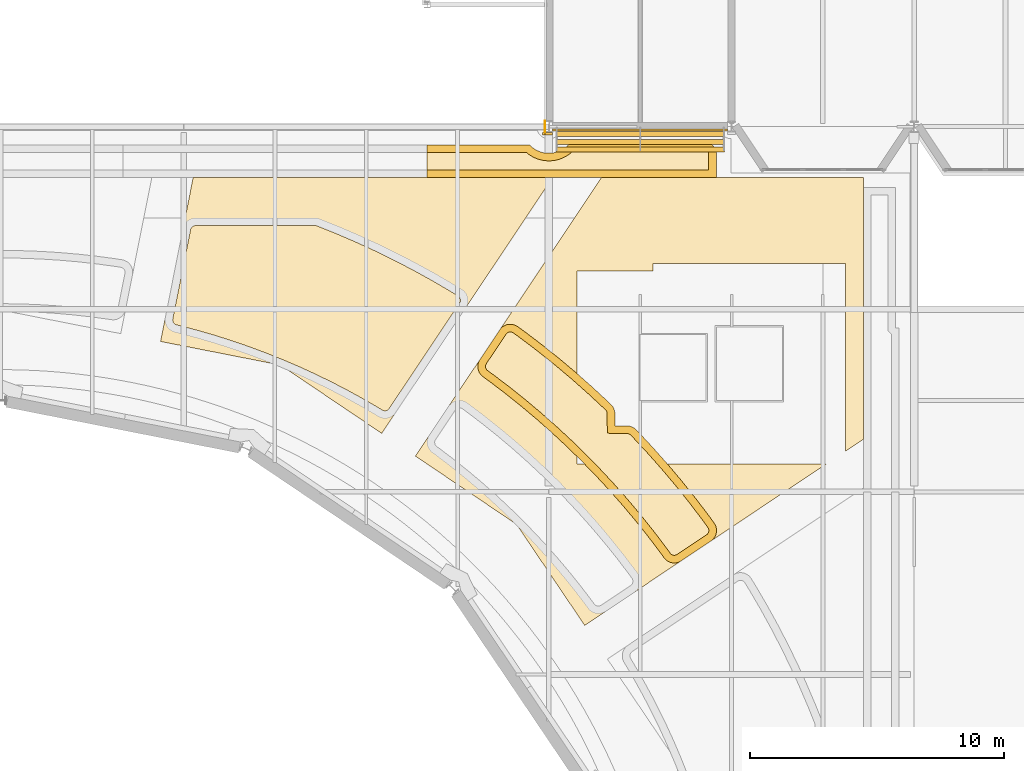
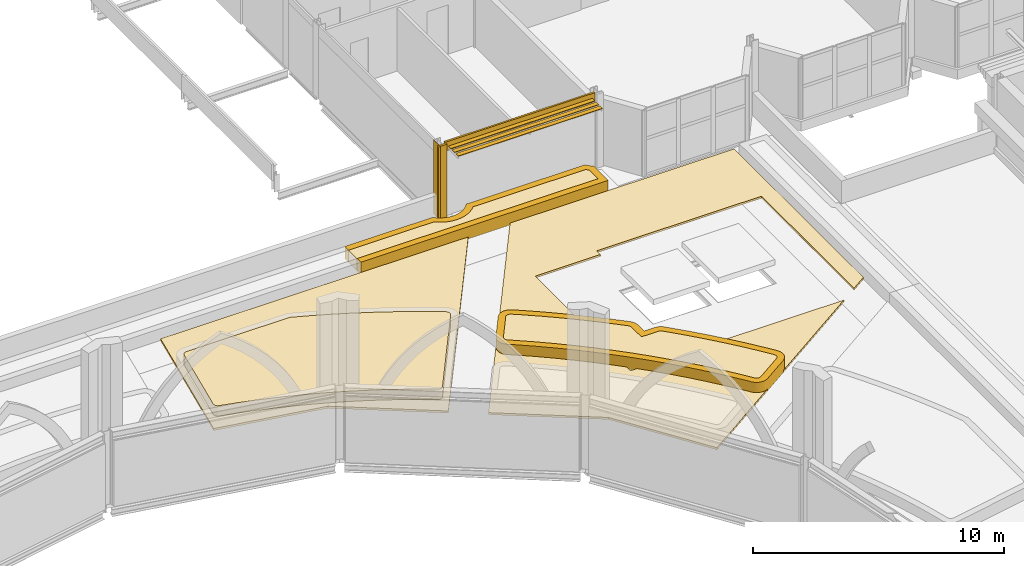
# One storey, part 98 of 110: 11 coverings, 3 shading devices.
"""IFC4 building model written with IfcOpenShell, lengths in metres."""

from ifc_helpers import new_model, si_unit, direction, frame, origin, origin_2d, place, context, subcontext, project, spatial, polyline, rectangle, outline, extrude, material, layer, layer_set, type_object, element, save


model = new_model("IFC4")

# Units and contexts
model_context = context("Model", 3, precision=1e-05, world=origin(), true_north=direction((0.0, 1.0)))
body_context = subcontext(model_context, "Body", "Model", "MODEL_VIEW")
ifc_project = project(units=[si_unit("LENGTHUNIT", "METRE"), si_unit("AREAUNIT", "SQUARE_METRE"), si_unit("VOLUMEUNIT", "CUBIC_METRE"), si_unit("PLANEANGLEUNIT", "RADIAN"), si_unit("MASSUNIT", "GRAM", prefix="KILO")], contexts=[model_context])

# Site, building, storey
site_placement = place(None, origin())
site = spatial("IfcSite", under=ifc_project, at=site_placement, CompositionType="ELEMENT")
building_placement = place(site_placement, origin())
building = spatial("IfcBuilding", under=site, at=building_placement, Name="Kupolbacken Congress Centre", CompositionType="ELEMENT")
storey_placement = place(building_placement, frame((0.0, 0.0, 18.0)))
storey = spatial("IfcBuildingStorey", under=building, at=storey_placement, Name="L05", CompositionType="ELEMENT", Elevation=18.0)

# Coverings
ifc_material_1 = material(Name="Limestone cladding", Category="masonry")
ifc_layer_1 = layer(ifc_material_1, 0.1201171875)
ifc_layer_set_1 = layer_set([ifc_layer_1], Name="Limestone cladding")
covering_type_1 = type_object("IfcCoveringType", Name="CV1 limestone cladding band 120", PredefinedType="CLADDING", material=ifc_layer_set_1)
covering_1_placement = place(storey_placement, frame((68.398193359375, 122.2724609375, 3.159912109375), z_axis=(0.0, 0.0, 1.0), x_axis=(1.0, 0.0, 0.0)))
element("IfcCovering", 1, at=covering_1_placement, inside=storey, type_object=covering_type_1, Name="E/T/S/L05/074/band", PredefinedType="CLADDING", context=body_context, shape_type="SweptSolid", body=[
    extrude(rectangle(XDim=6.896484375, YDim=0.0849609375, at=origin_2d()), origin(), (0.0, 0.0, 1.0), 0.43994140625),
])
ifc_material_2 = material(Name="Brick cladding", Category="masonry")
ifc_layer_2 = layer(ifc_material_2, 0.10791015625)
ifc_layer_set_2 = layer_set([ifc_layer_2], Name="Brick cladding")
covering_type_2 = type_object("IfcCoveringType", Name="CV2 brick cladding band 108", PredefinedType="CLADDING", material=ifc_layer_set_2)
covering_2_placement = place(storey_placement, frame((64.60009765625, 122.125, 0.0), z_axis=(0.0, 0.0, 1.0), x_axis=(1.0, 0.0, 0.0)))
element("IfcCovering", 2, at=covering_2_placement, inside=storey, type_object=covering_type_2, Name="E/T/pilaster/L05/C-T-10T/corner", PredefinedType="CLADDING", context=body_context, shape_type="SweptSolid", body=[
    extrude(rectangle(XDim=0.10009765625, YDim=0.10009765625, at=origin_2d()), origin(), (0.0, 0.0, 1.0), 3.60009765625),
])
covering_3_placement = place(storey_placement, frame((64.800048828125, 122.125, 0.0), z_axis=(0.0, 0.0, 1.0), x_axis=(1.0, 0.0, 0.0)))
element("IfcCovering", 3, at=covering_3_placement, inside=storey, type_object=covering_type_2, Name="E/T/pilaster/L05/C-T-10T/S", PredefinedType="CLADDING", context=body_context, shape_type="SweptSolid", body=[
    extrude(rectangle(XDim=0.300048828125, YDim=0.10009765625, at=origin_2d()), origin(), (0.0, 0.0, 1.0), 3.60009765625),
])
covering_4_placement = place(storey_placement, frame((64.639892578125, 122.39990234375, 0.0), z_axis=(0.0, 0.0, 1.0), x_axis=(1.0, 0.0, 0.0)))
element("IfcCovering", 4, at=covering_4_placement, inside=storey, type_object=covering_type_2, Name="E/T/pilaster/L05/C-T-10T/W", PredefinedType="CLADDING", context=body_context, shape_type="SweptSolid", body=[
    extrude(rectangle(XDim=0.02001953125, YDim=0.449951171875, at=origin_2d()), origin(), (0.0, 0.0, 1.0), 3.60009765625),
])
ifc_material_3 = material(Name="Limestone cladding", Category="masonry")
ifc_layer_3 = layer(ifc_material_3, 0.60009765625)
ifc_layer_set_3 = layer_set([ifc_layer_3], Name="Limestone cladding")
covering_type_3 = type_object("IfcCoveringType", Name="CV5 limestone arcade pier 600", PredefinedType="CLADDING", material=ifc_layer_set_3)
covering_5_placement = place(storey_placement, origin())
element("IfcCovering", 5, at=covering_5_placement, inside=storey, type_object=covering_type_3, Name="Bed kerb, plenary wing roof", PredefinedType="CLADDING", context=body_context, shape_type="SweptSolid", body=[
    extrude(outline(polyline([(71.257080078125, 121.656982421875), (71.33349609375, 121.587890625), (71.39990234375, 121.538330078125), (71.39990234375, 120.3974609375), (60.0, 120.3974609375), (60.0, 120.697509765625), (71.10009765625, 120.697509765625), (71.10009765625, 121.39453125), (71.044677734375, 121.444580078125), (70.99658203125, 121.49755859375), (65.80322265625, 121.49755859375), (65.75537109375, 121.444580078125), (65.656982421875, 121.355712890625), (65.550537109375, 121.276611328125), (65.43701171875, 121.20849609375), (65.31689453125, 121.15185546875), (65.192138671875, 121.107177734375), (65.063720703125, 121.074951171875), (64.932373046875, 121.055419921875), (64.800048828125, 121.048828125), (64.66748046875, 121.055419921875), (64.536376953125, 121.074951171875), (64.40771484375, 121.107177734375), (64.282958984375, 121.15185546875), (64.1630859375, 121.20849609375), (64.04931640625, 121.276611328125), (63.94287109375, 121.355712890625), (63.927001953125, 121.3701171875), (60.0, 121.3701171875), (60.0, 121.669921875), (64.04541015625, 121.669921875), (64.056884765625, 121.656982421875), (64.13330078125, 121.587890625), (64.21630859375, 121.5263671875), (64.3046875, 121.473388671875), (64.39794921875, 121.42919921875), (64.4951171875, 121.39453125), (64.594970703125, 121.369384765625), (64.697021484375, 121.354248046875), (64.800048828125, 121.349365234375), (64.903076171875, 121.354248046875), (65.0048828125, 121.369384765625), (65.10498046875, 121.39453125), (65.2021484375, 121.42919921875), (65.29541015625, 121.473388671875), (65.3837890625, 121.5263671875), (65.466552734375, 121.587890625), (65.54296875, 121.656982421875), (65.6123046875, 121.7333984375), (65.65966796875, 121.797607421875), (71.140380859375, 121.797607421875), (71.187744140625, 121.7333984375), (71.257080078125, 121.656982421875)])), origin(), (0.0, 0.0, 1.0), 0.60009765625),
])
covering_6_placement = place(storey_placement, origin())
element("IfcCovering", 6, at=covering_6_placement, inside=storey, type_object=covering_type_3, Name="Bed kerb, plenary wing roof", PredefinedType="CLADDING", context=body_context, shape_type="SweptSolid", body=[
    extrude(outline(polyline([(62.890869140625, 114.42626953125), (62.9248046875, 114.46337890625), (62.962158203125, 114.496826171875), (63.002685546875, 114.526611328125), (63.0458984375, 114.552001953125), (63.091796875, 114.57275390625), (63.13916015625, 114.589111328125), (63.18798828125, 114.600341796875), (63.238037109375, 114.606689453125), (63.2880859375, 114.608154296875), (63.338134765625, 114.6044921875), (63.3876953125, 114.595703125), (63.43603515625, 114.58203125), (63.48291015625, 114.563720703125), (63.52734375, 114.540771484375), (63.569580078125, 114.513427734375), (63.877685546875, 114.290771484375), (63.887451171875, 114.283447265625), (64.555908203125, 113.77490234375), (64.5654296875, 113.767333984375), (65.22119140625, 113.24267578125), (65.230712890625, 113.23486328125), (65.873291015625, 112.694091796875), (65.882568359375, 112.68603515625), (66.51171875, 112.129638671875), (66.52099609375, 112.12158203125), (67.13623046875, 111.5498046875), (67.14501953125, 111.54150390625), (67.248779296875, 111.4404296875), (67.28271484375, 111.40380859375), (67.312744140625, 111.364013671875), (67.338623046875, 111.321533203125), (67.3603515625, 111.276611328125), (67.377197265625, 111.229736328125), (67.3896484375, 111.181396484375), (67.39697265625, 111.13232421875), (67.3994140625, 111.08251953125), (67.3994140625, 110.61181640625), (67.400146484375, 110.60009765625), (67.411865234375, 110.599609375), (67.882568359375, 110.599609375), (67.932373046875, 110.596923828125), (67.9814453125, 110.589599609375), (68.02978515625, 110.577392578125), (68.07666015625, 110.560302734375), (68.12158203125, 110.53857421875), (68.1640625, 110.5126953125), (68.203857421875, 110.482666015625), (68.240478515625, 110.44873046875), (68.34130859375, 110.34521484375), (68.349853515625, 110.336181640625), (68.92138671875, 109.720947265625), (68.9296875, 109.7119140625), (69.486083984375, 109.08251953125), (69.494140625, 109.0732421875), (70.034912109375, 108.4306640625), (70.04248046875, 108.421142578125), (70.5673828125, 107.765380859375), (70.574951171875, 107.755859375), (71.08349609375, 107.08740234375), (71.0908203125, 107.07763671875), (71.3134765625, 106.76953125), (71.3408203125, 106.727294921875), (71.36376953125, 106.682861328125), (71.382080078125, 106.635986328125), (71.395751953125, 106.587646484375), (71.404296875, 106.5380859375), (71.408203125, 106.48828125), (71.40673828125, 106.43798828125), (71.400390625, 106.38818359375), (71.388916015625, 106.339111328125), (71.372802734375, 106.291748046875), (71.351806640625, 106.24609375), (71.326416015625, 106.20263671875), (71.296875, 106.162109375), (71.263427734375, 106.124755859375), (71.226318359375, 106.0908203125), (71.18603515625, 106.060791015625), (70.021240234375, 105.28271484375), (69.980224609375, 105.258056640625), (69.93701171875, 105.2373046875), (69.891845703125, 105.220947265625), (69.845703125, 105.208984375), (69.798095703125, 105.201416015625), (69.75048828125, 105.198486328125), (69.702392578125, 105.2001953125), (69.655029296875, 105.206298828125), (69.6083984375, 105.217041015625), (69.562744140625, 105.232177734375), (69.51904296875, 105.251708984375), (69.477294921875, 105.275146484375), (69.43798828125, 105.302490234375), (69.401611328125, 105.333740234375), (69.3681640625, 105.3681640625), (69.33837890625, 105.405517578125), (69.161376953125, 105.650390625), (69.15771484375, 105.6552734375), (68.68115234375, 106.28173828125), (68.67724609375, 106.28662109375), (68.185546875, 106.901123046875), (68.181640625, 106.90576171875), (67.6748046875, 107.508056640625), (67.6708984375, 107.5126953125), (67.1494140625, 108.102294921875), (67.145263671875, 108.10693359375), (66.609619140625, 108.68359375), (66.60546875, 108.68798828125), (66.0556640625, 109.25146484375), (66.051513671875, 109.255615234375), (65.488037109375, 109.805419921875), (65.483642578125, 109.8095703125), (64.906982421875, 110.34521484375), (64.90234375, 110.349365234375), (64.312744140625, 110.870849609375), (64.30810546875, 110.874755859375), (63.705810546875, 111.381591796875), (63.701171875, 111.385498046875), (63.086669921875, 111.877197265625), (63.081787109375, 111.881103515625), (62.455322265625, 112.357666015625), (62.450439453125, 112.361328125), (62.20556640625, 112.538330078125), (62.168212890625, 112.568115234375), (62.1337890625, 112.6015625), (62.1025390625, 112.637939453125), (62.0751953125, 112.67724609375), (62.0517578125, 112.718994140625), (62.0322265625, 112.7626953125), (62.01708984375, 112.808349609375), (62.00634765625, 112.85498046875), (62.0, 112.902587890625), (61.99853515625, 112.950439453125), (62.00146484375, 112.998291015625), (62.009033203125, 113.045654296875), (62.02099609375, 113.091796875), (62.037353515625, 113.136962890625), (62.05810546875, 113.18017578125), (62.082763671875, 113.22119140625), (62.86083984375, 114.385986328125), (62.890869140625, 114.42626953125)]), holes=[polyline([(62.336181640625, 113.060546875), (62.322509765625, 113.0380859375), (62.314208984375, 113.020751953125), (62.307861328125, 113.002685546875), (62.302978515625, 112.984375), (62.300048828125, 112.96533203125), (62.298828125, 112.9462890625), (62.299560546875, 112.927001953125), (62.302001953125, 112.908203125), (62.30615234375, 112.889404296875), (62.312255859375, 112.871337890625), (62.320068359375, 112.85400390625), (62.329345703125, 112.837158203125), (62.34033203125, 112.821533203125), (62.352783203125, 112.806884765625), (62.366455078125, 112.793701171875), (62.38720703125, 112.777099609375), (62.627685546875, 112.603515625), (62.635498046875, 112.597412109375), (63.264892578125, 112.11865234375), (63.272705078125, 112.11279296875), (63.889892578125, 111.618408203125), (63.897705078125, 111.6123046875), (64.502685546875, 111.103271484375), (64.510009765625, 111.0966796875), (65.1025390625, 110.572998046875), (65.109619140625, 110.56640625), (65.689208984375, 110.0283203125), (65.6962890625, 110.021484375), (66.26220703125, 109.468994140625), (66.26904296875, 109.462158203125), (66.8212890625, 108.896240234375), (66.828125, 108.88916015625), (67.366455078125, 108.309814453125), (67.372802734375, 108.302490234375), (67.896728515625, 107.710205078125), (67.9033203125, 107.70263671875), (68.412353515625, 107.09765625), (68.41845703125, 107.090087890625), (68.91259765625, 106.47265625), (68.918701171875, 106.46484375), (69.3974609375, 105.83544921875), (69.4033203125, 105.82763671875), (69.5771484375, 105.587158203125), (69.593505859375, 105.56640625), (69.60693359375, 105.552734375), (69.62158203125, 105.540283203125), (69.63720703125, 105.529296875), (69.65380859375, 105.52001953125), (69.67138671875, 105.51220703125), (69.689453125, 105.506103515625), (69.708251953125, 105.501953125), (69.72705078125, 105.49951171875), (69.746337890625, 105.498779296875), (69.765380859375, 105.5), (69.7841796875, 105.5029296875), (69.802734375, 105.5078125), (69.82080078125, 105.514404296875), (69.837890625, 105.522705078125), (69.860595703125, 105.5361328125), (71.01318359375, 106.30615234375), (71.03515625, 106.322509765625), (71.050048828125, 106.336181640625), (71.0634765625, 106.35107421875), (71.0751953125, 106.3671875), (71.085205078125, 106.384521484375), (71.09375, 106.40283203125), (71.10009765625, 106.421875), (71.104736328125, 106.44140625), (71.107177734375, 106.461181640625), (71.10791015625, 106.481201171875), (71.106201171875, 106.501220703125), (71.102783203125, 106.52099609375), (71.097412109375, 106.540283203125), (71.090087890625, 106.558837890625), (71.080810546875, 106.576904296875), (71.06591796875, 106.599853515625), (70.8486328125, 106.900390625), (70.843505859375, 106.9072265625), (70.33740234375, 107.57275390625), (70.33203125, 107.57958984375), (69.8095703125, 108.232421875), (69.80419921875, 108.239013671875), (69.265625, 108.87890625), (69.260009765625, 108.88525390625), (68.706298828125, 109.51171875), (68.700439453125, 109.51806640625), (68.13134765625, 110.130615234375), (68.12548828125, 110.136962890625), (68.031005859375, 110.23388671875), (68.0107421875, 110.25244140625), (67.994873046875, 110.264404296875), (67.977783203125, 110.27490234375), (67.9599609375, 110.283447265625), (67.94140625, 110.290283203125), (67.922119140625, 110.295166015625), (67.90234375, 110.298095703125), (67.875, 110.299560546875), (67.404296875, 110.299560546875), (67.11376953125, 110.313720703125), (67.099609375, 110.6044921875), (67.099609375, 111.074951171875), (67.09814453125, 111.102294921875), (67.09521484375, 111.1220703125), (67.09033203125, 111.141357421875), (67.08349609375, 111.159912109375), (67.07470703125, 111.177978515625), (67.064453125, 111.19482421875), (67.052490234375, 111.210693359375), (67.03369140625, 111.23095703125), (66.93701171875, 111.325439453125), (66.9306640625, 111.331298828125), (66.318115234375, 111.900390625), (66.311767578125, 111.90625), (65.685302734375, 112.460205078125), (65.6787109375, 112.4658203125), (65.0390625, 113.004150390625), (65.0322265625, 113.009521484375), (64.37939453125, 113.531982421875), (64.372802734375, 113.537353515625), (63.707275390625, 114.043701171875), (63.700439453125, 114.048583984375), (63.39990234375, 114.265869140625), (63.376708984375, 114.281005859375), (63.35888671875, 114.2900390625), (63.34033203125, 114.29736328125), (63.321044921875, 114.302978515625), (63.30126953125, 114.306396484375), (63.28125, 114.307861328125), (63.26123046875, 114.30712890625), (63.2412109375, 114.3046875), (63.2216796875, 114.30029296875), (63.202880859375, 114.293701171875), (63.1845703125, 114.285400390625), (63.167236328125, 114.275146484375), (63.151123046875, 114.263427734375), (63.135986328125, 114.25), (63.12255859375, 114.235107421875), (63.106201171875, 114.213134765625), (62.336181640625, 113.060546875)])]), origin(), (0.0, 0.0, 1.0), 0.60009765625),
])
ifc_material_4 = material(Name="Grass", Category="soil")
ifc_layer_4 = layer(ifc_material_4, 0.10009765625)
ifc_layer_set_4 = layer_set([ifc_layer_4], Name="Grass")
covering_type_4 = type_object("IfcCoveringType", Name="GR2 grass surface 100", PredefinedType="FLOORING", material=ifc_layer_set_4)
covering_7_placement = place(storey_placement, origin())
element("IfcCovering", 7, at=covering_7_placement, inside=storey, type_object=covering_type_4, Name="Green roof, plenary wing roof", PredefinedType="FLOORING", context=body_context, shape_type="SweptSolid", body=[
    extrude(outline(polyline([(66.87890625, 120.3994140625), (77.199462890625, 120.3994140625), (77.199462890625, 110.078857421875), (76.50048828125, 109.61181640625), (76.50048828125, 117.00048828125), (68.8994140625, 117.00048828125), (68.8994140625, 116.700439453125), (65.8994140625, 116.700439453125), (65.8994140625, 109.099609375), (68.8994140625, 109.099609375), (73.50048828125, 109.099609375), (75.73388671875, 109.099609375), (66.210693359375, 102.736572265625), (63.521484375, 106.721435546875), (59.53662109375, 109.41064453125), (66.87890625, 120.3994140625)])), origin(), (0.0, 0.0, 1.0), 0.10009765625),
])
covering_8_placement = place(storey_placement, origin())
element("IfcCovering", 8, at=covering_8_placement, inside=storey, type_object=covering_type_4, Name="Green roof, plenary wing roof", PredefinedType="FLOORING", context=body_context, shape_type="SweptSolid", body=[
    extrude(outline(polyline([(50.77783203125, 120.3994140625), (64.95458984375, 120.3994140625), (58.210205078125, 110.3056640625), (54.22119140625, 112.997802734375), (49.490966796875, 113.92919921875), (50.77783203125, 120.3994140625)])), origin(), (0.0, 0.0, 1.0), 0.10009765625),
])
ifc_material_5 = material(Name="Planting substrate", Category="soil")
ifc_layer_5 = layer(ifc_material_5, 0.60009765625)
ifc_layer_set_5 = layer_set([ifc_layer_5], Name="Planting substrate")
covering_type_5 = type_object("IfcCoveringType", Name="GR8 planting substrate 600", PredefinedType="FLOORING", material=ifc_layer_set_5)
covering_9_placement = place(storey_placement, origin())
element("IfcCovering", 9, at=covering_9_placement, inside=storey, type_object=covering_type_5, Name="Planting bed, plenary wing roof", PredefinedType="FLOORING", context=body_context, shape_type="SweptSolid", body=[
    extrude(outline(polyline([(63.927001953125, 121.3701171875), (63.94287109375, 121.355712890625), (64.04931640625, 121.276611328125), (64.1630859375, 121.20849609375), (64.282958984375, 121.15185546875), (64.40771484375, 121.107177734375), (64.536376953125, 121.074951171875), (64.66748046875, 121.055419921875), (64.800048828125, 121.048828125), (64.932373046875, 121.055419921875), (65.063720703125, 121.074951171875), (65.192138671875, 121.107177734375), (65.31689453125, 121.15185546875), (65.43701171875, 121.20849609375), (65.550537109375, 121.276611328125), (65.656982421875, 121.355712890625), (65.75537109375, 121.444580078125), (65.80322265625, 121.49755859375), (70.99658203125, 121.49755859375), (71.044677734375, 121.444580078125), (71.10009765625, 121.39453125), (71.10009765625, 120.697509765625), (60.0, 120.697509765625), (60.0, 121.3701171875), (63.927001953125, 121.3701171875)])), origin(), (0.0, 0.0, 1.0), 0.60009765625),
])
covering_10_placement = place(storey_placement, origin())
element("IfcCovering", 10, at=covering_10_placement, inside=storey, type_object=covering_type_5, Name="Planting bed, plenary wing roof", PredefinedType="FLOORING", context=body_context, shape_type="SweptSolid", body=[
    extrude(outline(polyline([(63.106201171875, 114.213134765625), (63.12255859375, 114.235107421875), (63.135986328125, 114.25), (63.151123046875, 114.263427734375), (63.167236328125, 114.275146484375), (63.1845703125, 114.285400390625), (63.202880859375, 114.293701171875), (63.2216796875, 114.30029296875), (63.2412109375, 114.3046875), (63.26123046875, 114.30712890625), (63.28125, 114.307861328125), (63.30126953125, 114.306396484375), (63.321044921875, 114.302978515625), (63.34033203125, 114.29736328125), (63.35888671875, 114.2900390625), (63.376708984375, 114.281005859375), (63.39990234375, 114.265869140625), (63.700439453125, 114.048583984375), (63.707275390625, 114.043701171875), (64.372802734375, 113.537353515625), (64.37939453125, 113.531982421875), (65.0322265625, 113.009521484375), (65.0390625, 113.004150390625), (65.6787109375, 112.4658203125), (65.685302734375, 112.460205078125), (66.311767578125, 111.90625), (66.318115234375, 111.900390625), (66.9306640625, 111.331298828125), (66.93701171875, 111.325439453125), (67.03369140625, 111.23095703125), (67.052490234375, 111.210693359375), (67.064453125, 111.19482421875), (67.07470703125, 111.177978515625), (67.08349609375, 111.159912109375), (67.09033203125, 111.141357421875), (67.09521484375, 111.1220703125), (67.09814453125, 111.102294921875), (67.099609375, 111.074951171875), (67.099609375, 110.6044921875), (67.11376953125, 110.313720703125), (67.404296875, 110.299560546875), (67.875, 110.299560546875), (67.90234375, 110.298095703125), (67.922119140625, 110.295166015625), (67.94140625, 110.290283203125), (67.9599609375, 110.283447265625), (67.977783203125, 110.27490234375), (67.994873046875, 110.264404296875), (68.0107421875, 110.25244140625), (68.031005859375, 110.23388671875), (68.12548828125, 110.136962890625), (68.13134765625, 110.130615234375), (68.700439453125, 109.51806640625), (68.706298828125, 109.51171875), (69.260009765625, 108.88525390625), (69.265625, 108.87890625), (69.80419921875, 108.239013671875), (69.8095703125, 108.232421875), (70.33203125, 107.57958984375), (70.33740234375, 107.57275390625), (70.843505859375, 106.9072265625), (70.8486328125, 106.900390625), (71.06591796875, 106.599853515625), (71.080810546875, 106.576904296875), (71.090087890625, 106.558837890625), (71.097412109375, 106.540283203125), (71.102783203125, 106.52099609375), (71.106201171875, 106.501220703125), (71.10791015625, 106.481201171875), (71.107177734375, 106.461181640625), (71.104736328125, 106.44140625), (71.10009765625, 106.421875), (71.09375, 106.40283203125), (71.085205078125, 106.384521484375), (71.0751953125, 106.3671875), (71.0634765625, 106.35107421875), (71.050048828125, 106.336181640625), (71.03515625, 106.322509765625), (71.01318359375, 106.30615234375), (69.860595703125, 105.5361328125), (69.837890625, 105.522705078125), (69.82080078125, 105.514404296875), (69.802734375, 105.5078125), (69.7841796875, 105.5029296875), (69.765380859375, 105.5), (69.746337890625, 105.498779296875), (69.72705078125, 105.49951171875), (69.708251953125, 105.501953125), (69.689453125, 105.506103515625), (69.67138671875, 105.51220703125), (69.65380859375, 105.52001953125), (69.63720703125, 105.529296875), (69.62158203125, 105.540283203125), (69.60693359375, 105.552734375), (69.593505859375, 105.56640625), (69.5771484375, 105.587158203125), (69.4033203125, 105.82763671875), (69.3974609375, 105.83544921875), (68.918701171875, 106.46484375), (68.91259765625, 106.47265625), (68.41845703125, 107.090087890625), (68.412353515625, 107.09765625), (67.9033203125, 107.70263671875), (67.896728515625, 107.710205078125), (67.372802734375, 108.302490234375), (67.366455078125, 108.309814453125), (66.828125, 108.88916015625), (66.8212890625, 108.896240234375), (66.26904296875, 109.462158203125), (66.26220703125, 109.468994140625), (65.6962890625, 110.021484375), (65.689208984375, 110.0283203125), (65.109619140625, 110.56640625), (65.1025390625, 110.572998046875), (64.510009765625, 111.0966796875), (64.502685546875, 111.103271484375), (63.897705078125, 111.6123046875), (63.889892578125, 111.618408203125), (63.272705078125, 112.11279296875), (63.264892578125, 112.11865234375), (62.635498046875, 112.597412109375), (62.627685546875, 112.603515625), (62.38720703125, 112.777099609375), (62.366455078125, 112.793701171875), (62.352783203125, 112.806884765625), (62.34033203125, 112.821533203125), (62.329345703125, 112.837158203125), (62.320068359375, 112.85400390625), (62.312255859375, 112.871337890625), (62.30615234375, 112.889404296875), (62.302001953125, 112.908203125), (62.299560546875, 112.927001953125), (62.298828125, 112.9462890625), (62.300048828125, 112.96533203125), (62.302978515625, 112.984375), (62.307861328125, 113.002685546875), (62.314208984375, 113.020751953125), (62.322509765625, 113.0380859375), (62.336181640625, 113.060546875), (63.106201171875, 114.213134765625)])), origin(), (0.0, 0.0, 1.0), 0.60009765625),
])
covering_11_placement = place(storey_placement, origin())
element("IfcCovering", 11, at=covering_11_placement, inside=storey, type_object=covering_type_5, Name="Planting bed, plenary wing roof", PredefinedType="FLOORING", context=body_context, shape_type="SweptSolid", body=[
    extrude(outline(polyline([(55.58154296875, 118.49755859375), (55.607666015625, 118.496337890625), (55.62646484375, 118.49365234375), (55.64501953125, 118.489013671875), (55.669677734375, 118.480712890625), (56.367919921875, 118.201416015625), (56.375732421875, 118.197998046875), (57.144287109375, 117.86865234375), (57.152099609375, 117.864990234375), (57.912353515625, 117.516845703125), (57.920166015625, 117.51318359375), (58.671630859375, 117.146484375), (58.67919921875, 117.142578125), (59.421630859375, 116.757568359375), (59.42919921875, 116.75341796875), (60.16162109375, 116.350341796875), (60.169189453125, 116.345947265625), (60.8916015625, 115.925048828125), (60.89892578125, 115.920654296875), (61.21337890625, 115.726806640625), (61.236083984375, 115.711181640625), (61.251220703125, 115.6982421875), (61.265380859375, 115.683837890625), (61.277587890625, 115.668212890625), (61.288330078125, 115.651123046875), (61.29736328125, 115.63330078125), (61.3046875, 115.614501953125), (61.309814453125, 115.59521484375), (61.31298828125, 115.575439453125), (61.314453125, 115.555419921875), (61.313720703125, 115.535400390625), (61.310791015625, 115.515380859375), (61.30615234375, 115.49609375), (61.299560546875, 115.47705078125), (61.291015625, 115.458984375), (61.27685546875, 115.435302734375), (58.505615234375, 111.28759765625), (58.489990234375, 111.2666015625), (58.477294921875, 111.252197265625), (58.463134765625, 111.239501953125), (58.447998046875, 111.227783203125), (58.431396484375, 111.2177734375), (58.414306640625, 111.20947265625), (58.396484375, 111.20263671875), (58.3779296875, 111.19775390625), (58.359130859375, 111.194580078125), (58.340087890625, 111.193115234375), (58.32080078125, 111.193603515625), (58.302001953125, 111.196044921875), (58.283203125, 111.2001953125), (58.264892578125, 111.2060546875), (58.247314453125, 111.213623046875), (58.224365234375, 111.226318359375), (58.123291015625, 111.28857421875), (58.114990234375, 111.293701171875), (57.508056640625, 111.647216796875), (57.49951171875, 111.652099609375), (56.884033203125, 111.99072265625), (56.87548828125, 111.99560546875), (56.251953125, 112.31884765625), (56.2431640625, 112.323486328125), (55.612060546875, 112.631591796875), (55.60302734375, 112.6357421875), (54.964599609375, 112.92822265625), (54.95556640625, 112.93212890625), (54.309814453125, 113.208984375), (54.30078125, 113.212646484375), (53.648681640625, 113.473388671875), (53.639404296875, 113.47705078125), (52.981201171875, 113.7216796875), (52.9716796875, 113.72509765625), (52.3076171875, 113.95361328125), (52.29833984375, 113.95654296875), (51.628662109375, 114.168701171875), (51.619384765625, 114.171630859375), (50.944580078125, 114.3671875), (50.935302734375, 114.369873046875), (50.256103515625, 114.548828125), (50.24658203125, 114.55126953125), (50.1298828125, 114.5791015625), (50.1044921875, 114.586181640625), (50.086669921875, 114.59326171875), (50.069580078125, 114.60205078125), (50.053466796875, 114.6123046875), (50.03857421875, 114.6240234375), (50.024658203125, 114.63720703125), (50.01220703125, 114.65185546875), (50.0009765625, 114.66748046875), (49.991455078125, 114.68408203125), (49.9833984375, 114.701416015625), (49.977294921875, 114.719482421875), (49.972900390625, 114.738037109375), (49.97021484375, 114.757080078125), (49.969482421875, 114.776123046875), (49.970458984375, 114.795166015625), (49.974365234375, 114.8212890625), (50.672119140625, 118.329345703125), (50.678466796875, 118.35546875), (50.68505859375, 118.373779296875), (50.693603515625, 118.3916015625), (50.70361328125, 118.408447265625), (50.715087890625, 118.424072265625), (50.728515625, 118.438720703125), (50.742919921875, 118.451904296875), (50.758544921875, 118.46337890625), (50.775390625, 118.4736328125), (50.793212890625, 118.48193359375), (50.8115234375, 118.488525390625), (50.83056640625, 118.493408203125), (50.85009765625, 118.49609375), (50.876953125, 118.49755859375), (55.58154296875, 118.49755859375)])), origin(), (0.0, 0.0, 1.0), 0.60009765625),
])

# Shading devices
ifc_material_6 = material(Name="Aluminium alloy louvre", Category="aluminium")
ifc_layer_6 = layer(ifc_material_6, 0.030029296875)
ifc_layer_set_6 = layer_set([ifc_layer_6], Name="Aluminium alloy louvre")
shading_device_type = type_object("IfcShadingDeviceType", Name="SC1 louvre blade 30 x 200", PredefinedType="JALOUSIE", material=ifc_layer_set_6)
for number, where, z_axis, x_axis, name in (
    (12, (68.398193359375, 122.10009765625, 3.35986328125), (0.0, 0.0, 1.0), (1.0, 0.0, 0.0), "Brise-soleil blade"),
    (13, (68.398193359375, 121.800048828125, 3.35986328125), (0.0, 0.0, 1.0), (1.0, 0.0, 0.0), "Brise-soleil blade"),
    (14, (68.398193359375, 121.5, 3.35986328125), (0.0, 0.0, 1.0), (1.0, 0.0, 0.0), "Brise-soleil blade"),
):
    element("IfcShadingDevice", number, at=place(storey_placement, frame(where, z_axis=z_axis, x_axis=x_axis)), inside=storey, type_object=shading_device_type, Name=name, PredefinedType="JALOUSIE", context=body_context, shape_type="SweptSolid", body=[
        extrude(rectangle(XDim=6.636474609375, YDim=0.199951171875, at=origin_2d()), origin(), (0.0, 0.0, 1.0), 0.030029296875),
    ])

save(model, "model.ifc")
